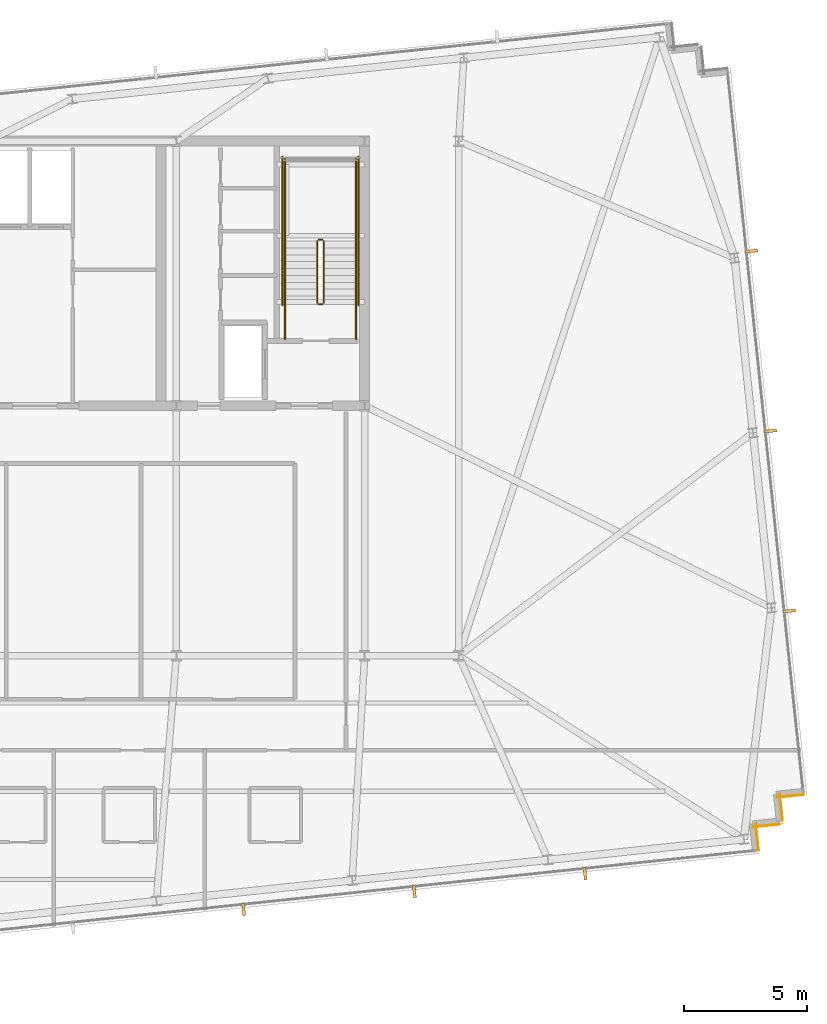
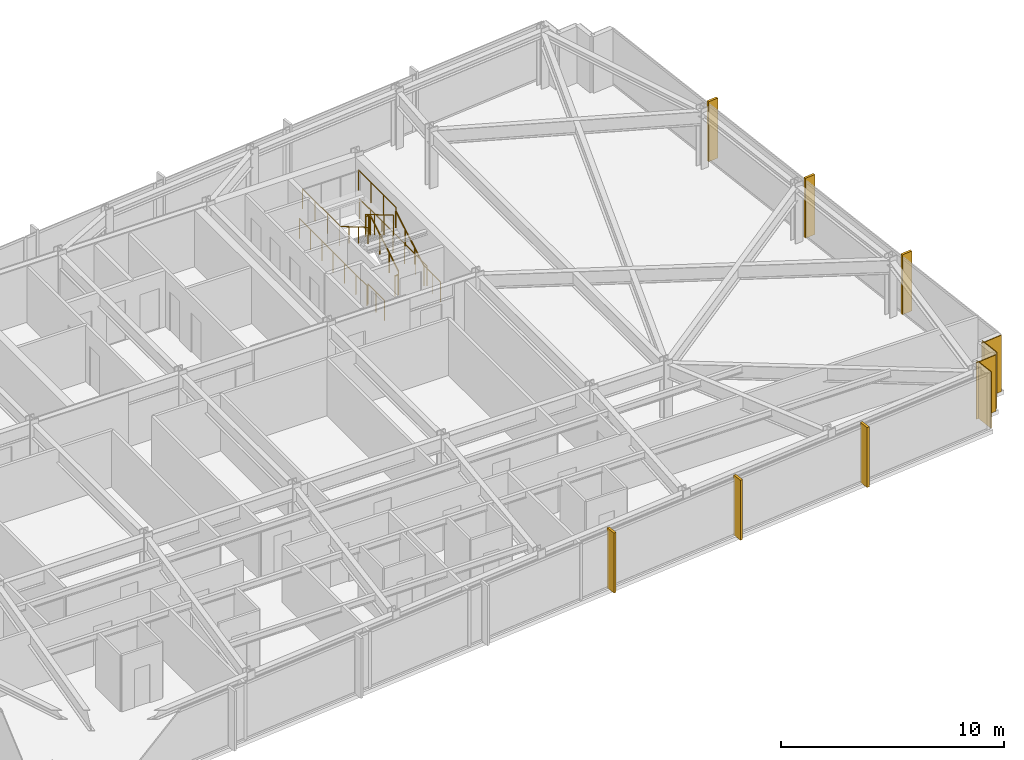
# One storey, part 32 of 33: 12 railings, 6 shading devices, 4 coverings.
"""IFC4 building model written with IfcOpenShell, lengths in metres."""

from ifc_helpers import new_model, si_unit, direction, frame, frame_2d, origin, origin_2d, place, context, subcontext, project, spatial, rectangle, circle, extrude, material, layer, layer_set, type_object, element, save


model = new_model("IFC4")

# Units and contexts
model_context = context("Model", 3, precision=1e-05, world=origin(), true_north=direction((0.0, 1.0)))
body_context = subcontext(model_context, "Body", "Model", "MODEL_VIEW")
ifc_project = project(units=[si_unit("LENGTHUNIT", "METRE"), si_unit("AREAUNIT", "SQUARE_METRE"), si_unit("VOLUMEUNIT", "CUBIC_METRE"), si_unit("PLANEANGLEUNIT", "RADIAN"), si_unit("MASSUNIT", "GRAM", prefix="KILO")], contexts=[model_context])

# Site, building, storey
site_placement = place(None, origin())
site = spatial("IfcSite", under=ifc_project, at=site_placement, CompositionType="ELEMENT")
building_placement = place(site_placement, origin())
building = spatial("IfcBuilding", under=site, at=building_placement, Name="Yelkora Congress Tower", CompositionType="ELEMENT")
storey_placement = place(building_placement, frame((0.0, 0.0, 230.89990234375)))
storey = spatial("IfcBuildingStorey", under=building, at=storey_placement, Name="L64", CompositionType="ELEMENT", Elevation=230.89990234375)

# Coverings
ifc_material_1 = material(Name="Anatolian bush-hammered limestone", Category="masonry")
ifc_layer_1 = layer(ifc_material_1, 0.0400390625)
ifc_layer_set_1 = layer_set([ifc_layer_1], Name="Anatolian bush-hammered limestone")
covering_type = type_object("IfcCoveringType", Name="COV-CLAD-SPANDREL-40", PredefinedType="CLADDING", material=ifc_layer_set_1)
for number, where, z_axis, x_axis, name in (
    (1, (71.668212890625, 19.535888671875, 0.0), (0.0, 0.0, 1.0), (-0.994544300928, -0.104315068386, 0.0), "L64 Anatolian Limestone Cladding EW-L64-SR16"),
    (2, (70.6943359375, 19.569580078125, 0.0), (0.0, 0.0, 1.0), (0.104534592565, -0.994521251134, 0.0), "L64 Anatolian Limestone Cladding EW-L64-SR17"),
    (3, (70.689208984375, 18.3271484375, 0.0), (0.0, 0.0, 1.0), (-0.994521251134, -0.104534592565, 0.0), "L64 Anatolian Limestone Cladding EW-L64-SR18"),
    (4, (69.71533203125, 18.360595703125, 0.0), (0.0, 0.0, 1.0), (0.104534592565, -0.994521251134, 0.0), "L64 Anatolian Limestone Cladding EW-L64-SR19"),
):
    element("IfcCovering", number, at=place(storey_placement, frame(where, z_axis=z_axis, x_axis=x_axis)), inside=storey, type_object=covering_type, Name=name, PredefinedType="CLADDING", context=body_context, shape_type="SweptSolid", body=[
        extrude(rectangle(XDim=1.10009765625, YDim=0.0400390625, at=frame_2d((0.550048828125, 0.0))), origin(), (0.0, 0.0, 1.0), 3.080078125),
    ])

# Railings
ifc_material_2 = material(Name="Painted galvanised steel stair well guard with vertical infill", Category="steel")
ifc_layer_2 = layer(ifc_material_2, 0.06005859375)
ifc_layer_set_2 = layer_set([ifc_layer_2], Name="Painted galvanised steel stair well guard with vertical infill")
railing_type_1 = type_object("IfcRailingType", Name="RAIL-STAIR-GUARD-1120", PredefinedType="GUARDRAIL", material=ifc_layer_set_2)
railing_1_placement = place(storey_placement, frame((52.090087890625, 39.60009765625, 0.1650390625)))
element("IfcRailing", 5, at=railing_1_placement, inside=storey, type_object=railing_type_1, Name="ST-02 L64 Stair Well Guardrail 1", PredefinedType="GUARDRAIL", context=body_context, shape_type="SweptSolid", body=[
    extrude(circle(Radius=0.02392578125, at=origin_2d()), frame((0.0, 0.0, 1.09619140625), z_axis=(0.0, 0.86152411907, 0.507716645641), x_axis=(-1.0, 0.0, 0.0)), (0.0, 0.0, 1.0), 2.925048828125),
    extrude(circle(Radius=0.02099609375, at=origin_2d()), origin(), (0.0, 0.0, 1.0), 1.072021484375),
    extrude(circle(Radius=0.02099609375, at=origin_2d()), frame((0.0, 0.840087890625, 0.4951171875)), (0.0, 0.0, 1.0), 1.072021484375),
    extrude(circle(Radius=0.02099609375, at=origin_2d()), frame((0.0, 1.679931640625, 0.989990234375)), (0.0, 0.0, 1.0), 1.072021484375),
    extrude(circle(Radius=0.02099609375, at=origin_2d()), frame((0.0, 2.52001953125, 1.485107421875)), (0.0, 0.0, 1.0), 1.072021484375),
])
railing_2_placement = place(storey_placement, frame((52.0400390625, 42.169921875, 1.650146484375)))
element("IfcRailing", 6, at=railing_2_placement, inside=storey, type_object=railing_type_1, Name="ST-02 L64 Stair Well Guardrail 2", PredefinedType="GUARDRAIL", context=body_context, shape_type="SweptSolid", body=[
    extrude(circle(Radius=0.02392578125, at=origin_2d()), frame((0.0, 0.0, 1.09619140625), z_axis=(-1.0, 0.0, 0.0), x_axis=(0.0, -1.0, 0.0)), (0.0, 0.0, 1.0), 0.16015625),
    extrude(circle(Radius=0.02099609375, at=origin_2d()), origin(), (0.0, 0.0, 1.0), 1.072021484375),
    extrude(circle(Radius=0.02099609375, at=origin_2d()), frame((-0.16015625, 0.0, 0.0)), (0.0, 0.0, 1.0), 1.072021484375),
])
for number, where, name in (
    (7, (53.409912109375, 42.1201171875, 1.650146484375), "ST-02 L64 Stair Well Guardrail 3"),
    (8, (50.510009765625, 42.1201171875, 1.650146484375), "ST-02 L64 Stair Well Guardrail 4"),
):
    element("IfcRailing", number, at=place(storey_placement, frame(where)), inside=storey, type_object=railing_type_1, Name=name, PredefinedType="GUARDRAIL", context=body_context, shape_type="SweptSolid", body=[
        extrude(circle(Radius=0.02392578125, at=origin_2d()), frame((0.0, 0.0, 1.09619140625), z_axis=(0.0, 1.0, 0.0), x_axis=(-1.0, 0.0, 0.0)), (0.0, 0.0, 1.0), 3.349853515625),
        extrude(circle(Radius=0.02099609375, at=origin_2d()), origin(), (0.0, 0.0, 1.0), 1.072021484375),
        extrude(circle(Radius=0.02099609375, at=origin_2d()), frame((0.0, 1.11669921875, 0.0)), (0.0, 0.0, 1.0), 1.072021484375),
        extrude(circle(Radius=0.02099609375, at=origin_2d()), frame((0.0, 2.233154296875, 0.0)), (0.0, 0.0, 1.0), 1.072021484375),
        extrude(circle(Radius=0.02099609375, at=origin_2d()), frame((0.0, 3.349853515625, 0.0)), (0.0, 0.0, 1.0), 1.072021484375),
    ])
railing_3_placement = place(storey_placement, frame((51.830078125, 42.1201171875, 1.815185546875)))
element("IfcRailing", 9, at=railing_3_placement, inside=storey, type_object=railing_type_1, Name="ST-02 L64 Stair Well Guardrail 6", PredefinedType="GUARDRAIL", context=body_context, shape_type="SweptSolid", body=[
    extrude(circle(Radius=0.02392578125, at=origin_2d()), frame((0.0, 0.0, 1.09619140625), z_axis=(0.0, -0.861560626758, 0.507654692109), x_axis=(1.0, 0.0, 0.0)), (0.0, 0.0, 1.0), 2.925048828125),
    extrude(circle(Radius=0.02099609375, at=origin_2d()), origin(), (0.0, 0.0, 1.0), 1.072021484375),
    extrude(circle(Radius=0.02099609375, at=origin_2d()), frame((0.0, -0.840087890625, 0.494873046875)), (0.0, 0.0, 1.0), 1.072021484375),
    extrude(circle(Radius=0.02099609375, at=origin_2d()), frame((0.0, -1.679931640625, 0.989990234375)), (0.0, 0.0, 1.0), 1.072021484375),
    extrude(circle(Radius=0.02099609375, at=origin_2d()), frame((0.0, -2.52001953125, 1.48486328125)), (0.0, 0.0, 1.0), 1.072021484375),
])
railing_4_placement = place(storey_placement, frame((52.0400390625, 39.550048828125, 0.0)))
element("IfcRailing", 10, at=railing_4_placement, inside=storey, type_object=railing_type_1, Name="ST-02 L64 Stair Well Guardrail 7", PredefinedType="GUARDRAIL", context=body_context, shape_type="SweptSolid", body=[
    extrude(circle(Radius=0.02392578125, at=origin_2d()), frame((0.0, 0.0, 1.09619140625), z_axis=(-1.0, 0.0, 0.0), x_axis=(0.0, -1.0, 0.0)), (0.0, 0.0, 1.0), 0.16015625),
    extrude(circle(Radius=0.02099609375, at=origin_2d()), origin(), (0.0, 0.0, 1.0), 1.072021484375),
    extrude(circle(Radius=0.02099609375, at=origin_2d()), frame((-0.16015625, 0.0, 0.0)), (0.0, 0.0, 1.0), 1.072021484375),
])
for number, where, name in (
    (11, (53.409912109375, 38.1201171875, 0.0), "ST-02 L64 Stair Well Guardrail 8"),
    (12, (50.510009765625, 38.1201171875, 0.0), "ST-02 L64 Stair Well Guardrail 9"),
):
    element("IfcRailing", number, at=place(storey_placement, frame(where)), inside=storey, type_object=railing_type_1, Name=name, PredefinedType="GUARDRAIL", context=body_context, shape_type="SweptSolid", body=[
        extrude(circle(Radius=0.02392578125, at=origin_2d()), frame((0.0, 0.0, 1.09619140625), z_axis=(0.0, 1.0, 0.0), x_axis=(-1.0, 0.0, 0.0)), (0.0, 0.0, 1.0), 1.47998046875),
        extrude(circle(Radius=0.02099609375, at=origin_2d()), origin(), (0.0, 0.0, 1.0), 1.072021484375),
        extrude(circle(Radius=0.02099609375, at=origin_2d()), frame((0.0, 0.739990234375, 0.0)), (0.0, 0.0, 1.0), 1.072021484375),
        extrude(circle(Radius=0.02099609375, at=origin_2d()), frame((0.0, 1.47998046875, 0.0)), (0.0, 0.0, 1.0), 1.072021484375),
    ])
for number, where, name in (
    (13, (53.510009765625, 39.5, 0.0), "ST-02 L64 Stair Well Guardrail 10"),
    (14, (50.409912109375, 39.5, 0.0), "ST-02 L64 Stair Well Guardrail 11"),
):
    element("IfcRailing", number, at=place(storey_placement, frame(where)), inside=storey, type_object=railing_type_1, Name=name, PredefinedType="GUARDRAIL", context=body_context, shape_type="SweptSolid", body=[
        extrude(circle(Radius=0.02392578125, at=origin_2d()), frame((0.0, 0.0, 1.09619140625), z_axis=(0.0, 1.0, 0.0), x_axis=(-1.0, 0.0, 0.0)), (0.0, 0.0, 1.0), 6.070068359375),
        extrude(circle(Radius=0.02099609375, at=origin_2d()), origin(), (0.0, 0.0, 1.0), 1.072021484375),
        extrude(circle(Radius=0.02099609375, at=origin_2d()), frame((0.0, 1.01171875, 0.0)), (0.0, 0.0, 1.0), 1.072021484375),
        extrude(circle(Radius=0.02099609375, at=origin_2d()), frame((0.0, 2.0234375, 0.0)), (0.0, 0.0, 1.0), 1.072021484375),
        extrude(circle(Radius=0.02099609375, at=origin_2d()), frame((0.0, 3.03515625, 0.0)), (0.0, 0.0, 1.0), 1.072021484375),
        extrude(circle(Radius=0.02099609375, at=origin_2d()), frame((0.0, 4.046630859375, 0.0)), (0.0, 0.0, 1.0), 1.072021484375),
        extrude(circle(Radius=0.02099609375, at=origin_2d()), frame((0.0, 5.058349609375, 0.0)), (0.0, 0.0, 1.0), 1.072021484375),
        extrude(circle(Radius=0.02099609375, at=origin_2d()), frame((0.0, 6.070068359375, 0.0)), (0.0, 0.0, 1.0), 1.072021484375),
    ])
ifc_material_3 = material(Name="Brushed stainless steel tubular handrail", Category="steel")
ifc_layer_3 = layer(ifc_material_3, 0.050048828125)
ifc_layer_set_3 = layer_set([ifc_layer_3], Name="Brushed stainless steel tubular handrail")
railing_type_2 = type_object("IfcRailingType", Name="RAIL-STAIR-HAND-920", PredefinedType="HANDRAIL", material=ifc_layer_set_3)
railing_5_placement = place(storey_placement, frame((53.409912109375, 39.60009765625, 0.1650390625)))
element("IfcRailing", 15, at=railing_5_placement, inside=storey, type_object=railing_type_2, Name="ST-02 L64 Pitch Handrail 1", PredefinedType="HANDRAIL", context=body_context, shape_type="SweptSolid", body=[
    extrude(circle(Radius=0.02392578125, at=origin_2d()), frame((0.0, 0.0, 0.89599609375), z_axis=(0.0, 0.86152411907, 0.507716645641), x_axis=(-1.0, 0.0, 0.0)), (0.0, 0.0, 1.0), 2.925048828125),
    extrude(circle(Radius=0.02099609375, at=origin_2d()), origin(), (0.0, 0.0, 1.0), 0.871826171875),
    extrude(circle(Radius=0.02099609375, at=origin_2d()), frame((0.0, 0.840087890625, 0.4951171875)), (0.0, 0.0, 1.0), 0.871826171875),
    extrude(circle(Radius=0.02099609375, at=origin_2d()), frame((0.0, 1.679931640625, 0.989990234375)), (0.0, 0.0, 1.0), 0.871826171875),
    extrude(circle(Radius=0.02099609375, at=origin_2d()), frame((0.0, 2.52001953125, 1.485107421875)), (0.0, 0.0, 1.0), 0.871826171875),
])
railing_6_placement = place(storey_placement, frame((50.510009765625, 42.1201171875, 1.815185546875)))
element("IfcRailing", 16, at=railing_6_placement, inside=storey, type_object=railing_type_2, Name="ST-02 L64 Pitch Handrail 2", PredefinedType="HANDRAIL", context=body_context, shape_type="SweptSolid", body=[
    extrude(circle(Radius=0.02392578125, at=origin_2d()), frame((0.0, 0.0, 0.89599609375), z_axis=(0.0, -0.861560626758, 0.507654692109), x_axis=(1.0, 0.0, 0.0)), (0.0, 0.0, 1.0), 2.925048828125),
    extrude(circle(Radius=0.02099609375, at=origin_2d()), origin(), (0.0, 0.0, 1.0), 0.871826171875),
    extrude(circle(Radius=0.02099609375, at=origin_2d()), frame((0.0, -0.840087890625, 0.494873046875)), (0.0, 0.0, 1.0), 0.871826171875),
    extrude(circle(Radius=0.02099609375, at=origin_2d()), frame((0.0, -1.679931640625, 0.989990234375)), (0.0, 0.0, 1.0), 0.871826171875),
    extrude(circle(Radius=0.02099609375, at=origin_2d()), frame((0.0, -2.52001953125, 1.48486328125)), (0.0, 0.0, 1.0), 0.871826171875),
])

# Shading devices
ifc_material_4 = material(Name="Champagne anodised aluminium", Category="aluminium")
ifc_layer_4 = layer(ifc_material_4, 3.300048828125)
ifc_layer_set_4 = layer_set([ifc_layer_4], Name="Champagne anodised aluminium")
shading_device_type = type_object("IfcShadingDeviceType", Name="SHD-FIN-ALU-520", PredefinedType="USERDEFINED", material=ifc_layer_set_4)
for number, where, z_axis, x_axis, name in (
    (17, (69.538818359375, 41.7099609375, -0.02978515625), (0.0, 0.0, 1.0), (0.104528463268, -0.994521895368, 0.0), "L64 Vertical Anodised Solar Fin 15-1"),
    (18, (70.31005859375, 34.370361328125, -0.02978515625), (0.0, 0.0, 1.0), (0.104528463268, -0.994521895368, 0.0), "L64 Vertical Anodised Solar Fin 15-2"),
    (19, (71.08154296875, 27.03076171875, -0.02978515625), (0.0, 0.0, 1.0), (0.104528463268, -0.994521895368, 0.0), "L64 Vertical Anodised Solar Fin 15-3"),
    (20, (62.75244140625, 16.321533203125, -0.02978515625), (0.0, 0.0, 1.0), (-0.994521895368, -0.104528463268, 0.0), "L64 Vertical Anodised Solar Fin 20-1"),
    (21, (55.7880859375, 15.589599609375, -0.02978515625), (0.0, 0.0, 1.0), (-0.994521895368, -0.104528463268, 0.0), "L64 Vertical Anodised Solar Fin 20-2"),
    (22, (48.823486328125, 14.857421875, -0.02978515625), (0.0, 0.0, 1.0), (-0.994521895368, -0.104528463268, 0.0), "L64 Vertical Anodised Solar Fin 20-3"),
):
    element("IfcShadingDevice", number, at=place(storey_placement, frame(where, z_axis=z_axis, x_axis=x_axis)), inside=storey, type_object=shading_device_type, Name=name, ObjectType="FIN", PredefinedType="USERDEFINED", context=body_context, shape_type="SweptSolid", body=[
        extrude(rectangle(XDim=0.1201171875, YDim=0.52001953125, at=origin_2d()), origin(), (0.0, 0.0, 1.0), 3.280029296875),
    ])

save(model, "model.ifc")
